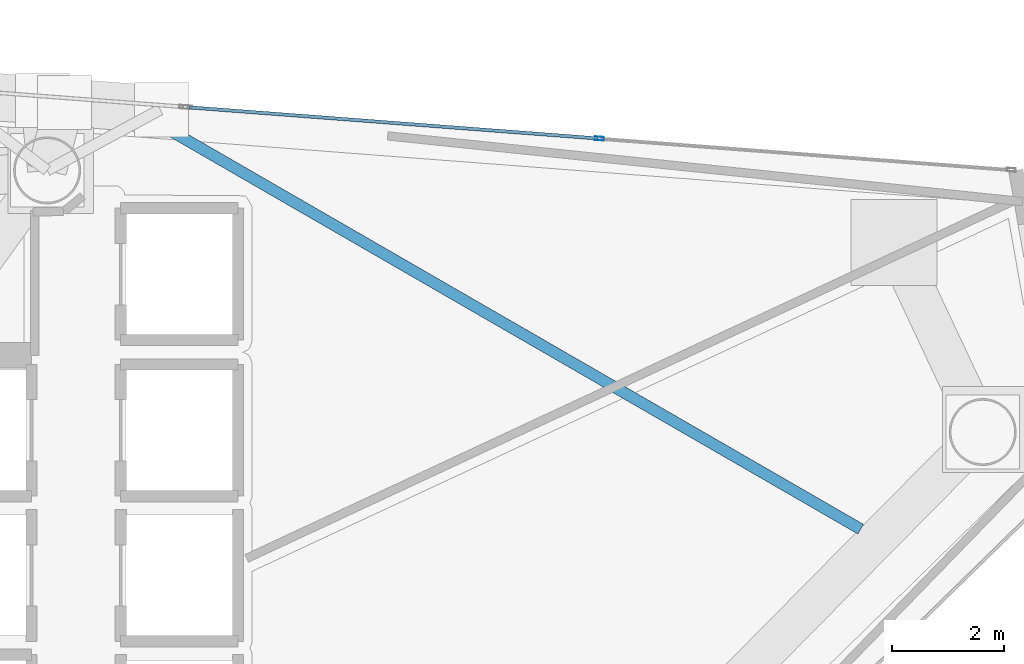
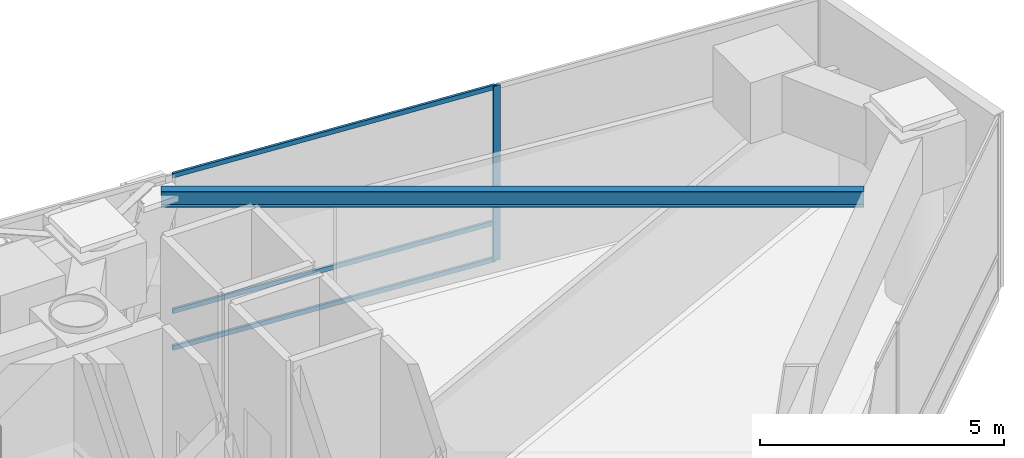
# One storey, part 13 of 20: 4 members, 1 beam, 1 element without a shape of its own.
"""IFC4 building model written with IfcOpenShell, lengths in metres."""

from ifc_helpers import new_model, si_unit, direction, frame, origin, origin_2d, place, context, subcontext, project, spatial, hollow_rectangle, i_section, extrude, material, layer, layer_set, material_profile, profile_set, type_object, element, aggregate, save


model = new_model("IFC4")

# Units and contexts
model_context = context("Model", 3, precision=1e-05, world=origin(), true_north=direction((0.0, 1.0)))
body_context = subcontext(model_context, "Body", "Model", "MODEL_VIEW")
ifc_project = project(units=[si_unit("LENGTHUNIT", "METRE"), si_unit("AREAUNIT", "SQUARE_METRE"), si_unit("VOLUMEUNIT", "CUBIC_METRE"), si_unit("PLANEANGLEUNIT", "RADIAN"), si_unit("MASSUNIT", "GRAM", prefix="KILO")], contexts=[model_context])

# Site, building, storey
site_placement = place(None, origin())
site = spatial("IfcSite", under=ifc_project, at=site_placement, CompositionType="ELEMENT")
building_placement = place(site_placement, origin())
building = spatial("IfcBuilding", under=site, at=building_placement, Name="Qianvela Tower", CompositionType="ELEMENT")
storey_placement = place(building_placement, frame((0.0, 0.0, 229.89990234375)))
storey = spatial("IfcBuildingStorey", under=building, at=storey_placement, Name="L59", CompositionType="ELEMENT", Elevation=229.89990234375)

# Beam
ifc_material_1 = material(Name="Steel Q355B", Category="steel")
ifc_material_profile_1 = material_profile(ifc_material_1, i_section(OverallWidth=0.199951171875, OverallDepth=0.39990234375, WebThickness=0.008056640625, FlangeThickness=0.012939453125, at=origin_2d()), Name="HN400x200x8x13")
ifc_profile_set_1 = profile_set([ifc_material_profile_1], Name="Steel Q355B")
beam_type = type_object("IfcBeamType", Name="BM-HN400-JOIST", PredefinedType="JOIST", material=ifc_profile_set_1)
beam_placement = place(storey_placement, frame((54.70849609375, 29.52978515625, 4.177978515625), z_axis=(-0.866025804792, 0.499999305434, 0.0), x_axis=(-0.499999305434, -0.866025804792, 0.0)))
element("IfcBeam", 1, at=beam_placement, inside=storey, type_object=beam_type, Name="L59 Bay Secondary Floor Joist 1", PredefinedType="JOIST", context=body_context, shape_type="SweptSolid", body=[
    extrude(i_section(OverallWidth=0.199951171875, OverallDepth=0.39990234375, WebThickness=0.008056640625, FlangeThickness=0.012939453125, at=origin_2d()), origin(), (0.0, 0.0, 1.0), 14.42724609375),
])

# Curtain wall, members
ifc_material_2 = material(Name="Anodised Architectural Aluminium and Low-E Glass", Category="aluminium")
ifc_layer = layer(ifc_material_2, 0.159912109375)
ifc_layer_set = layer_set([ifc_layer], Name="Anodised Architectural Aluminium and Low-E Glass")
curtain_wall_type = type_object("IfcCurtainWallType", Name="CW-COLIV-Z56", PredefinedType="USERDEFINED", material=ifc_layer_set)
curtain_wall_placement = place(storey_placement, origin())
curtain_wall = element("IfcCurtainWall", 2, at=curtain_wall_placement, inside=storey, type_object=curtain_wall_type, Name="L59 CW-COLIV-Z56 Curtain Wall 02A", ObjectType="CURTAIN_WALL_SYSTEM", PredefinedType="USERDEFINED")
ifc_material_3 = material(Name="Anodised Architectural Aluminium 6063-T6", Category="aluminium")
ifc_material_profile_2 = material_profile(ifc_material_3, hollow_rectangle(XDim=0.06494140625, YDim=0.159912109375, WallThickness=0.0048828125, at=origin_2d()), Name="ALU-MULL-65x160")
ifc_profile_set_2 = profile_set([ifc_material_profile_2], Name="Anodised Architectural Aluminium 6063-T6")
member_type_1 = type_object("IfcMemberType", Name="CW-COLIV-Z56-MULL", PredefinedType="MULLION", material=ifc_profile_set_2)
member_1_placement = place(storey_placement, frame((50.02685546875, 36.52880859375, 0.0), z_axis=(0.0, 0.0, 1.0), x_axis=(-0.075897826699, -0.99711560007, 0.0)))
member_1 = element("IfcMember", 3, at=member_1_placement, type_object=member_type_1, Name="CW-5 mullion 2", PredefinedType="MULLION", context=body_context, shape_type="SweptSolid", body=[
    extrude(hollow_rectangle(XDim=0.06494140625, YDim=0.159912109375, WallThickness=0.0048828125, at=origin_2d()), origin(), (0.0, 0.0, 1.0), 4.380126953125),
])
ifc_material_4 = material(Name="Anodised Architectural Aluminium 6063-T6", Category="aluminium")
ifc_material_profile_3 = material_profile(ifc_material_4, hollow_rectangle(XDim=0.06005859375, YDim=0.114990234375, WallThickness=0.00390625, at=origin_2d()), Name="ALU-TRAN-60x115")
ifc_profile_set_3 = profile_set([ifc_material_profile_3], Name="Anodised Architectural Aluminium 6063-T6")
member_type_2 = type_object("IfcMemberType", Name="CW-COLIV-Z56-TRAN", PredefinedType="USERDEFINED", material=ifc_profile_set_3)
member_2_placement = place(storey_placement, frame((49.994384765625, 36.53125, 0.030029296875), z_axis=(-0.997115815695, 0.075894993847, 0.0), x_axis=(-0.075894993847, -0.997115815695, 0.0)))
member_2 = element("IfcMember", 4, at=member_2_placement, type_object=member_type_2, Name="CW-5 transom 2.1", ObjectType="TRANSOM", PredefinedType="USERDEFINED", context=body_context, shape_type="SweptSolid", body=[
    extrude(hollow_rectangle(XDim=0.06005859375, YDim=0.114990234375, WallThickness=0.00390625, at=origin_2d()), origin(), (0.0, 0.0, 1.0), 7.337646484375),
])
member_3_placement = place(storey_placement, frame((49.994384765625, 36.53125, 0.9501953125), z_axis=(-0.997115815695, 0.075894993847, 0.0), x_axis=(-0.075894993847, -0.997115815695, 0.0)))
member_3 = element("IfcMember", 5, at=member_3_placement, type_object=member_type_2, Name="CW-5 transom 2.2", ObjectType="TRANSOM", PredefinedType="USERDEFINED", context=body_context, shape_type="SweptSolid", body=[
    extrude(hollow_rectangle(XDim=0.06005859375, YDim=0.114990234375, WallThickness=0.00390625, at=origin_2d()), origin(), (0.0, 0.0, 1.0), 7.337646484375),
])
member_4_placement = place(storey_placement, frame((49.994384765625, 36.53125, 4.35009765625), z_axis=(-0.997115815695, 0.075894993847, 0.0), x_axis=(-0.075894993847, -0.997115815695, 0.0)))
member_4 = element("IfcMember", 6, at=member_4_placement, type_object=member_type_2, Name="CW-5 transom 2.3", ObjectType="TRANSOM", PredefinedType="USERDEFINED", context=body_context, shape_type="SweptSolid", body=[
    extrude(hollow_rectangle(XDim=0.06005859375, YDim=0.114990234375, WallThickness=0.00390625, at=origin_2d()), origin(), (0.0, 0.0, 1.0), 7.337646484375),
])
aggregate(curtain_wall, [member_1, member_2, member_3, member_4])

save(model, "model.ifc")
